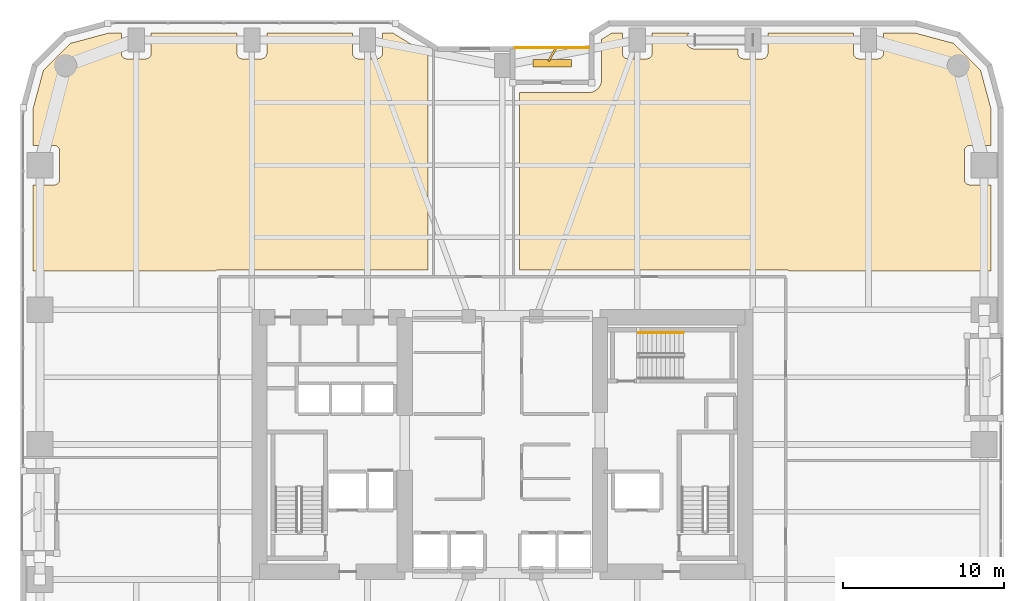
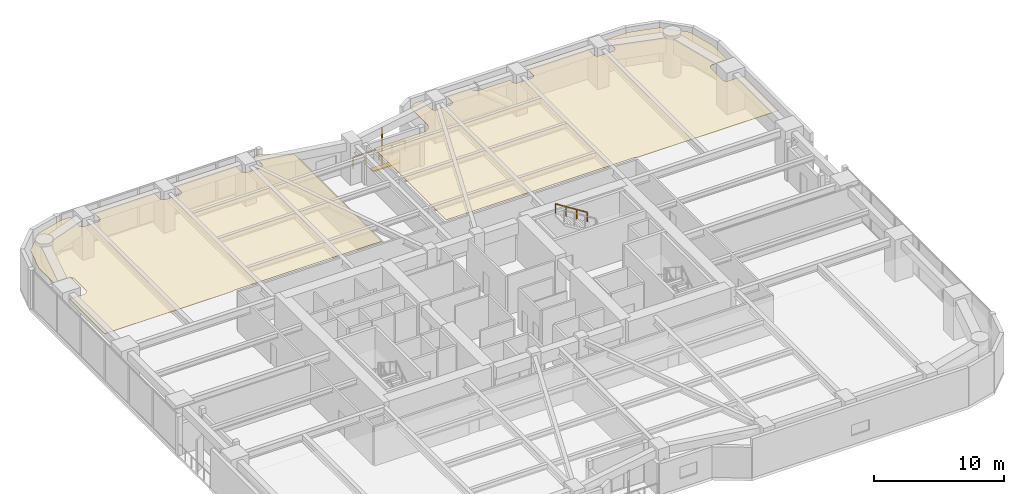
# One storey, part 29 of 29: 2 coverings, 2 railings, 2 shading devices.
"""IFC4 building model written with IfcOpenShell, lengths in metres."""

import ifcopenshell
import ifcopenshell.guid

model = None  # the IFC model being written
_history = None  # IfcOwnerHistory: only IFC2X3 demands one
_inside = {}  # id of a spatial element -> (the spatial element, [elements in it])
_under = {}  # id of a project, library or spatial element -> (it, [spatial elements below it])
_declared = {}  # id of a project -> (the project, [libraries it declares])
_typed = {}  # id of a type object -> (the type object, [elements of that type])
_made_of = {}  # id of a material, layer set ... -> (it, [elements and type objects made of it])


def new_model(schema):
    """Start an empty IFC model of exactly this schema.

    Asked for "IFC4X3", IfcOpenShell would pick the latest addendum, in which some entities
    have other attributes; the version numbers below select the first issue.
    IFC2X3 requires an IfcOwnerHistory on every rooted entity: one is made here for all.
    """
    global model, _history
    if schema == "IFC4X3":
        model = ifcopenshell.file(schema_version=(4, 3, 0, 0))
    else:
        model = ifcopenshell.file(schema=schema)
    _inside.clear()
    _under.clear()
    _declared.clear()
    _typed.clear()
    _made_of.clear()
    _history = None
    if model.schema == "IFC2X3":
        org = make("IfcOrganization", Name="unknown")
        user = make(
            "IfcPersonAndOrganization",
            ThePerson=make("IfcPerson", FamilyName="unknown"),
            TheOrganization=org,
        )
        app = make(
            "IfcApplication",
            ApplicationDeveloper=org,
            Version="unknown",
            ApplicationFullName="unknown",
            ApplicationIdentifier="unknown",
        )
        _history = make(
            "IfcOwnerHistory",
            OwningUser=user,
            OwningApplication=app,
            ChangeAction="ADDED",
            CreationDate=0,
        )
    return model


def make(cls, **values):
    """One entity of the class cls with the attributes given. An attribute that is None is left unset."""
    return model.create_entity(
        cls, **{name: value for name, value in values.items() if value is not None}
    )


def rooted(cls, **values):
    """An entity with a GlobalId (a new one), such as an element, a storey or a relation."""
    return make(cls, GlobalId=ifcopenshell.guid.new(), OwnerHistory=_history, **values)


def si_unit(unit_type, name, prefix=None):
    """IfcSIUnit, for example si_unit("LENGTHUNIT", "METRE", prefix="MILLI")."""
    return make("IfcSIUnit", UnitType=unit_type, Prefix=prefix, Name=name)


def assignment(units):
    """IfcUnitAssignment: the units of a project."""
    return None if units is None else make("IfcUnitAssignment", Units=units)


def point(xyz):
    """IfcCartesianPoint."""
    return None if xyz is None else make("IfcCartesianPoint", Coordinates=xyz)


def direction(xyz):
    """IfcDirection."""
    return None if xyz is None else make("IfcDirection", DirectionRatios=xyz)


def frame(location, z_axis=None, x_axis=None):
    """IfcAxis2Placement3D, a coordinate frame: its origin and axes. An axis left out is left unset."""
    return make(
        "IfcAxis2Placement3D",
        Location=point(location),
        Axis=direction(z_axis),
        RefDirection=direction(x_axis),
    )


def frame_2d(location, x_axis=None):
    """IfcAxis2Placement2D, a coordinate frame in the plane: its origin and x axis."""
    return make(
        "IfcAxis2Placement2D", Location=point(location), RefDirection=direction(x_axis)
    )


def origin():
    """The frame at (0, 0, 0) with its axes left unset."""
    return frame((0.0, 0.0, 0.0))


def origin_2d():
    """The frame at (0, 0) in the plane with its x axis left unset."""
    return frame_2d((0.0, 0.0))


def place(relative_to, where):
    """IfcLocalPlacement: puts the frame where relative to a parent placement (None: the world)."""
    return make(
        "IfcLocalPlacement", PlacementRelTo=relative_to, RelativePlacement=where
    )


def context(
    kind, dimensions, precision=None, world=None, true_north=None, identifier=None
):
    """IfcGeometricRepresentationContext, for example the 3D "Model" context."""
    return make(
        "IfcGeometricRepresentationContext",
        ContextIdentifier=identifier,
        ContextType=kind,
        CoordinateSpaceDimension=dimensions,
        Precision=precision,
        WorldCoordinateSystem=world,
        TrueNorth=true_north,
    )


def subcontext(parent, identifier, kind, view, scale=None):
    """IfcGeometricRepresentationSubContext, for example "Body" below "Model"."""
    return make(
        "IfcGeometricRepresentationSubContext",
        ContextIdentifier=identifier,
        ContextType=kind,
        ParentContext=parent,
        TargetScale=scale,
        TargetView=view,
    )


def project(units=None, contexts=None):
    """IfcProject with its units and contexts."""
    return rooted(
        "IfcProject",
        Name="project",
        RepresentationContexts=contexts,
        UnitsInContext=assignment(units),
    )


def spatial(cls, under=None, at=None, **own):
    """A site, building, storey or space (cls), placed at a placement, below another one or the project."""
    s = rooted(cls, ObjectPlacement=at, **own)
    if under is not None:
        _under.setdefault(under.id(), (under, []))[1].append(s)
    return s


def polyline(points):
    """IfcPolyline through the points."""
    return make("IfcPolyline", Points=[point(p) for p in points])


def profile(cls, at=None, kind="AREA", **sizes):
    """A parametric profile (cls). Its sizes go by their IFC names, for example OverallWidth=200.0."""
    return make(cls, ProfileType=kind, Position=at, **sizes)


def rectangle(**sizes):
    """IfcRectangleProfileDef."""
    return profile("IfcRectangleProfileDef", **sizes)


def outline(outer, holes=None, kind="AREA"):
    """IfcArbitraryClosedProfileDef: a profile drawn as a closed curve; with holes, ...WithVoids."""
    if holes is None:
        return make("IfcArbitraryClosedProfileDef", ProfileType=kind, OuterCurve=outer)
    return make(
        "IfcArbitraryProfileDefWithVoids",
        ProfileType=kind,
        OuterCurve=outer,
        InnerCurves=holes,
    )


def extrude(swept, where, along, depth):
    """IfcExtrudedAreaSolid: the profile swept, set in the frame where, extruded along a direction by depth."""
    return make(
        "IfcExtrudedAreaSolid",
        SweptArea=swept,
        Position=where,
        ExtrudedDirection=direction(along),
        Depth=depth,
    )


def shape(context_of_items, identifier, shape_type, items):
    """IfcShapeRepresentation: the items that make up one representation, for example the "Body"."""
    return make(
        "IfcShapeRepresentation",
        ContextOfItems=context_of_items,
        RepresentationIdentifier=identifier,
        RepresentationType=shape_type,
        Items=items,
    )


def material(Name=None, Category=None):
    """IfcMaterial."""
    return make("IfcMaterial", Name=Name, Category=Category)


def layer(
    of_material, thickness, ventilated=None, Name=None, Category=None, Priority=None
):
    """IfcMaterialLayer: one layer of a wall or slab, of a material (None: an air gap)."""
    return make(
        "IfcMaterialLayer",
        Material=of_material,
        LayerThickness=thickness,
        IsVentilated=ventilated,
        Name=Name,
        Category=Category,
        Priority=Priority,
    )


def layer_set(layers, Name=None):
    """IfcMaterialLayerSet."""
    return make("IfcMaterialLayerSet", MaterialLayers=layers, LayerSetName=Name)


def made_of(thing, what):
    """Note that an element or type object is made of a material, layer set ...; save() writes the relation."""
    if what is not None:
        _made_of.setdefault(what.id(), (what, []))[1].append(thing)
    return thing


def type_object(cls, material=None, **own):
    """A type object (cls), such as IfcWallType, which elements share."""
    return made_of(rooted(cls, **own), material)


def element(
    cls,
    number,
    at=None,
    inside=None,
    cuts=None,
    type_object=None,
    material=None,
    context=None,
    identifier="Body",
    shape_type=None,
    held_by="IfcProductDefinitionShape",
    body=None,
    shapes=None,
    **own,
):
    """One element of the class cls, such as IfcWall. Its Tag is "e" and its number.

    at: its placement. inside: the storey or other place that contains it. cuts: it is an
    opening in that element (IfcRelVoidsElement). A single representation is given by context,
    identifier, shape_type and body (its items); several are given by shapes. held_by: the class
    of the entity that holds the representations. save() writes the other relations.
    """
    e = rooted(cls, Tag="e%d" % number, ObjectPlacement=at, **own)
    if body is not None:
        shapes = [shape(context, identifier, shape_type, body)]
    if shapes is not None:
        e.Representation = make(held_by, Representations=shapes)
    if inside is not None:
        _inside.setdefault(inside.id(), (inside, []))[1].append(e)
    if cuts is not None:
        rooted(
            "IfcRelVoidsElement", RelatingBuildingElement=cuts, RelatedOpeningElement=e
        )
    if type_object is not None:
        _typed.setdefault(type_object.id(), (type_object, []))[1].append(e)
    return made_of(e, material)


def aggregate(whole, parts):
    """IfcRelAggregates: a whole, such as a stair, and the parts it consists of."""
    return rooted("IfcRelAggregates", RelatingObject=whole, RelatedObjects=parts)


def save(model, path):
    """Write the relations noted so far, then the file.

    IfcRelAggregates (storeys below a building ...), IfcRelContainedInSpatialStructure (elements
    in a storey), IfcRelDefinesByType, IfcRelAssociatesMaterial and IfcRelDeclares: one each for
    every whole, place, type object, material and project.
    """
    for whole, parts in _under.values():
        aggregate(whole, parts)
    for where, things in _inside.values():
        rooted(
            "IfcRelContainedInSpatialStructure",
            RelatedElements=things,
            RelatingStructure=where,
        )
    for kind, things in _typed.values():
        rooted("IfcRelDefinesByType", RelatedObjects=things, RelatingType=kind)
    for what, things in _made_of.values():
        rooted("IfcRelAssociatesMaterial", RelatedObjects=things, RelatingMaterial=what)
    for by, libraries in _declared.values():
        rooted("IfcRelDeclares", RelatingContext=by, RelatedDefinitions=libraries)
    model.write(path)


model = new_model("IFC4")

# Units and contexts
model_context = context("Model", 3, precision=1e-05, world=origin(), true_north=direction((0.0, 1.0)))
body_context = subcontext(model_context, "Body", "Model", "MODEL_VIEW")
ifc_project = project(units=[si_unit("LENGTHUNIT", "METRE"), si_unit("AREAUNIT", "SQUARE_METRE"), si_unit("VOLUMEUNIT", "CUBIC_METRE"), si_unit("PLANEANGLEUNIT", "RADIAN"), si_unit("MASSUNIT", "GRAM", prefix="KILO")], contexts=[model_context])

# Site, building, storey
site_placement = place(None, origin())
site = spatial("IfcSite", under=ifc_project, at=site_placement, CompositionType="ELEMENT")
building_placement = place(site_placement, origin())
building = spatial("IfcBuilding", under=site, at=building_placement, Name="Kiyonajd Concourse Tower", CompositionType="ELEMENT")
storey_placement = place(building_placement, frame((0.0, 0.0, 25.5)))
storey = spatial("IfcBuildingStorey", under=building, at=storey_placement, Name="L07", CompositionType="ELEMENT", Elevation=25.5)

# Coverings
ifc_material_1 = material(Name="Natural Oak Acoustic Timber Veneer", Category="wood")
ifc_layer = layer(ifc_material_1, 0.0400390625)
ifc_layer_set = layer_set([ifc_layer], Name="Natural Oak Acoustic Timber Veneer")
covering_type = type_object("IfcCoveringType", Name="CV-CLG-ACST", PredefinedType="CEILING", material=ifc_layer_set)
covering_1_placement = place(storey_placement, frame((0.0, 0.0, 3.4599609375)))
element("IfcCovering", 1, at=covering_1_placement, inside=storey, type_object=covering_type, Name="L07-40 Room Acoustic Ceiling", PredefinedType="CEILING", context=body_context, shape_type="SweptSolid", body=[
    extrude(outline(polyline([(21.097900390625, 60.986083984375), (23.5009765625, 61.6298828125), (24.27001953125, 61.6298828125), (24.27197265625, 60.3359375), (24.297119140625, 60.236083984375), (24.3291015625, 60.176025390625), (24.373046875, 60.123046875), (24.426025390625, 60.0791015625), (24.486083984375, 60.047119140625), (24.5859375, 60.02197265625), (25.81396484375, 60.02197265625), (25.9140625, 60.047119140625), (26.001953125, 60.09912109375), (26.051025390625, 60.14794921875), (26.089111328125, 60.205078125), (26.123046875, 60.302001953125), (26.1298828125, 60.3701171875), (26.1298828125, 61.6298828125), (31.469970703125, 61.6298828125), (31.471923828125, 60.3359375), (31.4970703125, 60.236083984375), (31.529052734375, 60.176025390625), (31.572998046875, 60.123046875), (31.6259765625, 60.0791015625), (31.68603515625, 60.047119140625), (31.785888671875, 60.02197265625), (32.97998046875, 60.02001953125), (33.048095703125, 60.027099609375), (33.114013671875, 60.047119140625), (33.201904296875, 60.09912109375), (33.2509765625, 60.14794921875), (33.2890625, 60.205078125), (33.322998046875, 60.302001953125), (33.330078125, 60.3701171875), (33.330078125, 61.6298828125), (38.669921875, 61.6298828125), (38.672119140625, 60.3359375), (38.697021484375, 60.236083984375), (38.72900390625, 60.176025390625), (38.77294921875, 60.123046875), (38.825927734375, 60.0791015625), (38.885986328125, 60.047119140625), (38.986083984375, 60.02197265625), (40.179931640625, 60.02001953125), (40.248046875, 60.027099609375), (40.31396484375, 60.047119140625), (40.402099609375, 60.09912109375), (40.450927734375, 60.14794921875), (40.489013671875, 60.205078125), (40.52294921875, 60.302001953125), (40.530029296875, 60.3701171875), (40.530029296875, 61.6298828125), (41.181884765625, 61.6298828125), (43.3701171875, 60.282958984375), (43.3701171875, 46.8798828125), (30.35009765625, 46.8798828125), (30.219970703125, 46.860107421875), (30.156982421875, 46.833984375), (30.10205078125, 46.800048828125), (18.77001953125, 46.800048828125), (18.77001953125, 52.169921875), (20.080078125, 52.169921875), (20.14794921875, 52.177001953125), (20.2451171875, 52.2109375), (20.302001953125, 52.2490234375), (20.35107421875, 52.298095703125), (20.388916015625, 52.35498046875), (20.4150390625, 52.41796875), (20.429931640625, 52.52001953125), (20.429931640625, 54.280029296875), (20.4150390625, 54.382080078125), (20.388916015625, 54.445068359375), (20.35107421875, 54.501953125), (20.302001953125, 54.551025390625), (20.2451171875, 54.589111328125), (20.181884765625, 54.614990234375), (20.114013671875, 54.6279296875), (18.77001953125, 54.6298828125), (18.77001953125, 56.89892578125), (19.4140625, 59.302001953125), (21.097900390625, 60.986083984375)])), origin(), (0.0, 0.0, 1.0), 0.0400390625),
])
covering_2_placement = place(storey_placement, frame((0.0, 0.0, 3.4599609375)))
element("IfcCovering", 2, at=covering_2_placement, inside=storey, type_object=covering_type, Name="L07-42 Room Acoustic Ceiling", PredefinedType="CEILING", context=body_context, shape_type="SweptSolid", body=[
    extrude(outline(polyline([(49.06005859375, 57.931884765625), (53.39990234375, 57.929931640625), (53.5419921875, 57.943115234375), (53.639892578125, 57.968994140625), (53.72802734375, 58.00390625), (53.839111328125, 58.068115234375), (53.95703125, 58.16796875), (54.056884765625, 58.300048828125), (54.10791015625, 58.39599609375), (54.131103515625, 58.4599609375), (54.1640625, 58.60791015625), (54.169921875, 61.23095703125), (54.818115234375, 61.6298828125), (55.469970703125, 61.6298828125), (55.469970703125, 60.3701171875), (55.47705078125, 60.302001953125), (55.510986328125, 60.205078125), (55.549072265625, 60.14794921875), (55.597900390625, 60.09912109375), (55.68603515625, 60.047119140625), (55.751953125, 60.027099609375), (55.820068359375, 60.02001953125), (57.013916015625, 60.02197265625), (57.114013671875, 60.047119140625), (57.174072265625, 60.0791015625), (57.22705078125, 60.123046875), (57.27099609375, 60.176025390625), (57.302978515625, 60.236083984375), (57.327880859375, 60.3359375), (57.330078125, 61.6298828125), (59.6259765625, 61.6298828125), (59.5390625, 61.533935546875), (59.498046875, 61.469970703125), (59.467041015625, 61.40087890625), (59.43603515625, 61.27490234375), (59.429931640625, 61.199951171875), (59.43603515625, 61.125), (59.467041015625, 60.9990234375), (59.498046875, 60.929931640625), (59.5390625, 60.865966796875), (59.637939453125, 60.759033203125), (59.759033203125, 60.68408203125), (59.87109375, 60.64501953125), (59.97802734375, 60.631103515625), (62.669921875, 60.6298828125), (62.672119140625, 60.3359375), (62.68505859375, 60.26806640625), (62.7109375, 60.205078125), (62.77294921875, 60.123046875), (62.85498046875, 60.06103515625), (62.91796875, 60.034912109375), (63.02001953125, 60.02001953125), (64.214111328125, 60.02197265625), (64.31396484375, 60.047119140625), (64.3740234375, 60.0791015625), (64.427001953125, 60.123046875), (64.489013671875, 60.205078125), (64.514892578125, 60.26806640625), (64.528076171875, 60.3359375), (64.530029296875, 61.6298828125), (69.8701171875, 61.6298828125), (69.8701171875, 60.3701171875), (69.876953125, 60.302001953125), (69.89697265625, 60.236083984375), (69.928955078125, 60.176025390625), (69.998046875, 60.09912109375), (70.0859375, 60.047119140625), (70.18603515625, 60.02197265625), (71.4140625, 60.02197265625), (71.513916015625, 60.047119140625), (71.573974609375, 60.0791015625), (71.626953125, 60.123046875), (71.68896484375, 60.205078125), (71.715087890625, 60.26806640625), (71.72802734375, 60.3359375), (71.72998046875, 61.6298828125), (73.698974609375, 61.6298828125), (76.10205078125, 60.986083984375), (77.785888671875, 59.302001953125), (78.429931640625, 56.89892578125), (78.429931640625, 54.6298828125), (77.1201171875, 54.6298828125), (77.052001953125, 54.623046875), (76.986083984375, 54.60302734375), (76.926025390625, 54.571044921875), (76.84912109375, 54.501953125), (76.81103515625, 54.445068359375), (76.784912109375, 54.382080078125), (76.77001953125, 54.280029296875), (76.77001953125, 52.52001953125), (76.784912109375, 52.41796875), (76.81103515625, 52.35498046875), (76.84912109375, 52.298095703125), (76.89794921875, 52.2490234375), (76.955078125, 52.2109375), (77.01806640625, 52.18505859375), (77.0859375, 52.172119140625), (78.429931640625, 52.169921875), (78.429931640625, 46.800048828125), (65.89794921875, 46.800048828125), (65.843017578125, 46.833984375), (65.780029296875, 46.860107421875), (65.64990234375, 46.8798828125), (49.06005859375, 46.8798828125), (49.06005859375, 57.931884765625)])), origin(), (0.0, 0.0, 1.0), 0.0400390625),
])

# Railings
ifc_material_2 = material(Name="Thermally Broken Anodised Aluminium", Category="aluminium")
railing_type_1 = type_object("IfcRailingType", Name="RL-GRD-LOG", PredefinedType="GUARDRAIL", material=ifc_material_2)
railing_1_placement = place(storey_placement, frame((53.39990234375, 60.719970703125, 0.0)))
element("IfcRailing", 3, at=railing_1_placement, inside=storey, type_object=railing_type_1, Name="L07 Engawa Loggia Perimeter Guard LOG-N", PredefinedType="GUARDRAIL", context=body_context, shape_type="SweptSolid", body=[
    extrude(rectangle(XDim=0.048095703125, YDim=0.048095703125, at=origin_2d()), frame((0.0, 0.0, 1.076171875), z_axis=(-1.0, 0.0, 0.0), x_axis=(0.0, -1.0, 0.0)), (0.0, 0.0, 1.0), 4.599853515625),
    extrude(rectangle(XDim=0.0419921875, YDim=0.0419921875, at=origin_2d()), origin(), (0.0, 0.0, 1.0), 1.052001953125),
    extrude(rectangle(XDim=0.0419921875, YDim=0.0419921875, at=origin_2d()), frame((-1.14990234375, 0.0, 0.0)), (0.0, 0.0, 1.0), 1.052001953125),
    extrude(rectangle(XDim=0.0419921875, YDim=0.0419921875, at=origin_2d()), frame((-2.2998046875, 0.0, 0.0)), (0.0, 0.0, 1.0), 1.052001953125),
    extrude(rectangle(XDim=0.0419921875, YDim=0.0419921875, at=origin_2d()), frame((-3.449951171875, 0.0, 0.0)), (0.0, 0.0, 1.0), 1.052001953125),
    extrude(rectangle(XDim=0.0419921875, YDim=0.0419921875, at=origin_2d()), frame((-4.599853515625, 0.0, 0.0)), (0.0, 0.0, 1.0), 1.052001953125),
])
ifc_material_3 = material(Name="Brushed Stainless Steel Cab Assembly", Category="steel")
railing_type_2 = type_object("IfcRailingType", Name="RL-HND-900", PredefinedType="HANDRAIL", material=ifc_material_3)
railing_2_placement = place(storey_placement, frame((59.280029296875, 42.969970703125, 2.127197265625)))
element("IfcRailing", 4, at=railing_2_placement, inside=storey, type_object=railing_type_2, Name="L07 ST3 stair handrail 2", PredefinedType="HANDRAIL", context=body_context, shape_type="SweptSolid", body=[
    extrude(rectangle(XDim=0.048095703125, YDim=0.048095703125, at=origin_2d()), frame((0.0, 0.0, 0.8759765625), z_axis=(-0.844908973607, 0.0, 0.534910110503), x_axis=(0.0, -1.0, 0.0)), (0.0, 0.0, 1.0), 3.31396484375),
    extrude(rectangle(XDim=0.0419921875, YDim=0.0419921875, at=origin_2d()), origin(), (0.0, 0.0, 1.0), 0.851806640625),
    extrude(rectangle(XDim=0.0419921875, YDim=0.0419921875, at=origin_2d()), frame((-0.933349609375, 0.0, 0.5908203125)), (0.0, 0.0, 1.0), 0.851806640625),
    extrude(rectangle(XDim=0.0419921875, YDim=0.0419921875, at=origin_2d()), frame((-1.86669921875, 0.0, 1.181884765625)), (0.0, 0.0, 1.0), 0.851806640625),
    extrude(rectangle(XDim=0.0419921875, YDim=0.0419921875, at=origin_2d()), frame((-2.800048828125, 0.0, 1.772705078125)), (0.0, 0.0, 1.0), 0.851806640625),
])

# Shading devices
ifc_material_4 = material(Name="Precast concrete C50/60", Category="concrete")
shading_device_type_1 = type_object("IfcShadingDeviceType", Name="SH-FIN-900", PredefinedType="USERDEFINED", material=ifc_material_4)
shading_device_1_placement = place(storey_placement, frame((51.10009765625, 60.27001953125, 0.0), z_axis=(0.0, 0.0, 1.0), x_axis=(0.5, 0.866025403784, 0.0)))
element("IfcShadingDevice", 5, at=shading_device_1_placement, inside=storey, type_object=shading_device_type_1, Name="L07 Angled Koshi Solar Fin LOG-N", ObjectType="FIN", PredefinedType="USERDEFINED", context=body_context, shape_type="SweptSolid", body=[
    extrude(rectangle(XDim=0.89990234375, YDim=0.1201171875, at=origin_2d()), origin(), (0.0, 0.0, 1.0), 3.0),
])
shading_device_type_2 = type_object("IfcShadingDeviceType", Name="SH-LVR-600", PredefinedType="JALOUSIE", material=ifc_material_2)
shading_device_2_placement = place(storey_placement, frame((51.10009765625, 59.75, 0.0), z_axis=(0.0, 0.0, 1.0), x_axis=(1.0, 0.0, 0.0)))
element("IfcShadingDevice", 6, at=shading_device_2_placement, inside=storey, type_object=shading_device_type_2, Name="L07 Loggia Threshold Louver LOG-N", PredefinedType="JALOUSIE", context=body_context, shape_type="SweptSolid", body=[
    extrude(rectangle(XDim=2.39990234375, YDim=0.449951171875, at=origin_2d()), origin(), (0.0, 0.0, 1.0), 0.10009765625),
])

save(model, "model.ifc")
